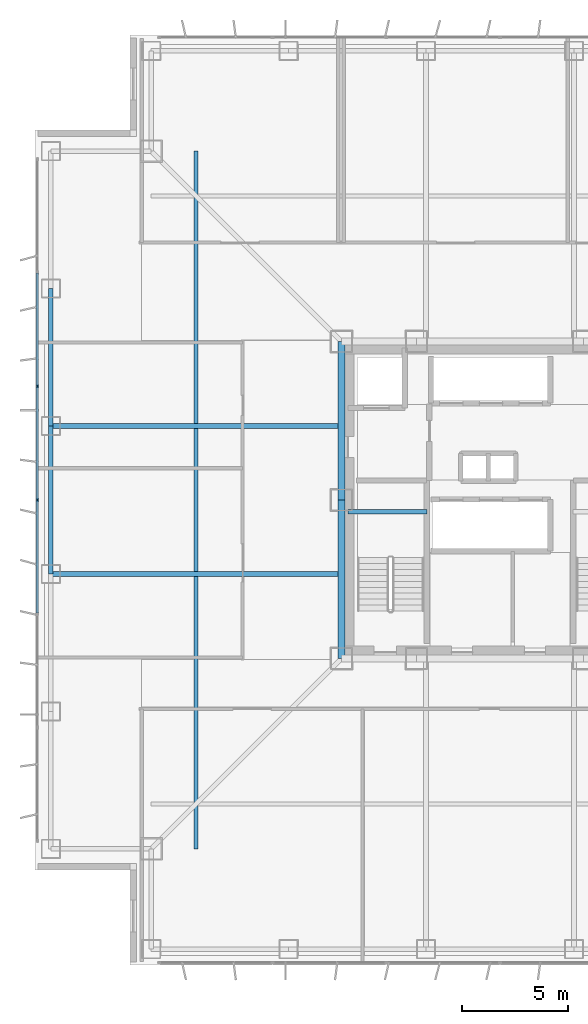
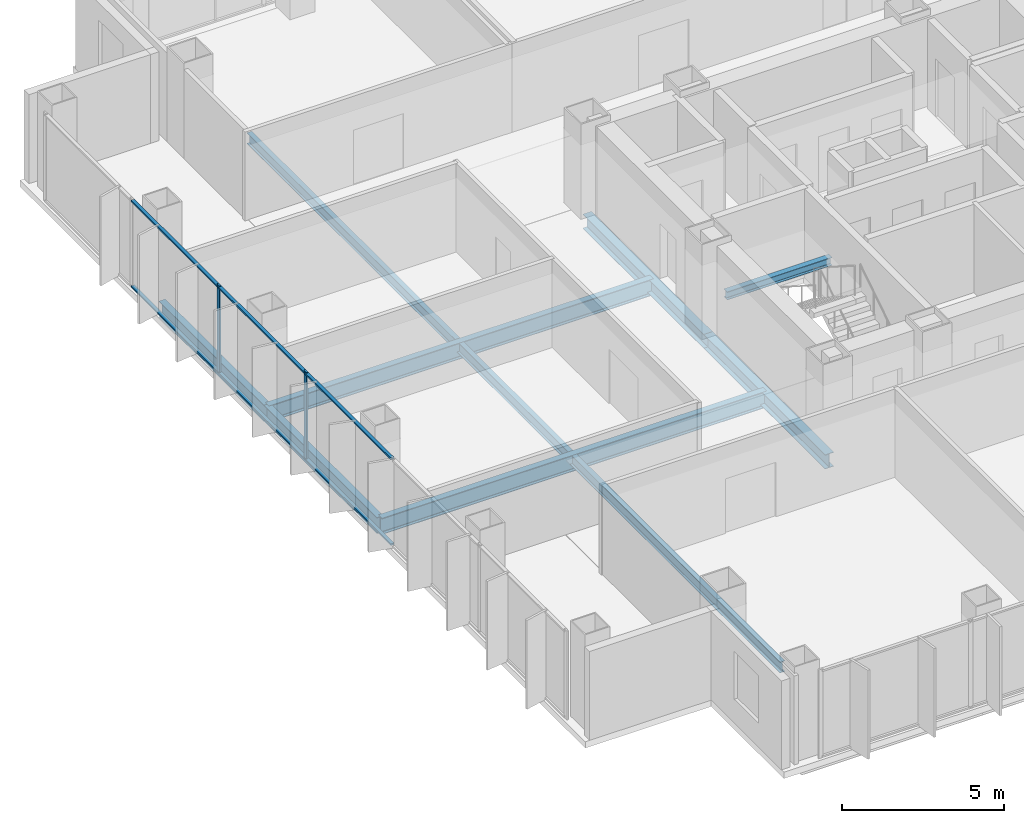
# One storey, part 5 of 17: 8 beams, 8 members, 1 element without a shape of its own.
"""IFC4 building model written with IfcOpenShell, lengths in metres."""

from ifc_helpers import new_model, si_unit, direction, frame, origin, origin_2d, place, context, subcontext, project, spatial, rectangle, i_section, extrude, material, layer, layer_set, material_profile, profile_set, type_object, element, aggregate, save


model = new_model("IFC4")

# Units and contexts
model_context = context("Model", 3, precision=1e-05, world=origin(), true_north=direction((0.0, 1.0)))
body_context = subcontext(model_context, "Body", "Model", "MODEL_VIEW")
ifc_project = project(units=[si_unit("LENGTHUNIT", "METRE"), si_unit("AREAUNIT", "SQUARE_METRE"), si_unit("VOLUMEUNIT", "CUBIC_METRE"), si_unit("PLANEANGLEUNIT", "RADIAN"), si_unit("MASSUNIT", "GRAM", prefix="KILO")], contexts=[model_context])

# Site, building, storey
site_placement = place(None, origin())
site = spatial("IfcSite", under=ifc_project, at=site_placement, CompositionType="ELEMENT")
building_placement = place(site_placement, origin())
building = spatial("IfcBuilding", under=site, at=building_placement, Name="Trevonay Congress Spire", CompositionType="ELEMENT")
storey_placement = place(building_placement, frame((0.0, 0.0, 126.39990234375)))
storey = spatial("IfcBuildingStorey", under=building, at=storey_placement, Name="L32", CompositionType="ELEMENT", Elevation=126.39990234375)

# Beams
ifc_material_1 = material(Name="Steel ASTM A572 Grade 50", Category="steel")
ifc_material_profile_1 = material_profile(ifc_material_1, i_section(OverallWidth=0.31201171875, OverallDepth=0.54296875, WebThickness=0.0126953125, FlangeThickness=0.020263671875, FilletRadius=0.014892578125, at=origin_2d()), Name="W530x150")
ifc_profile_set_1 = profile_set([ifc_material_profile_1], Name="Steel ASTM A572 Grade 50")
beam_type_1 = type_object("IfcBeamType", Name="BM-GIRD-W530X150", PredefinedType="BEAM", material=ifc_profile_set_1)
for number, where, z_axis, x_axis, name in (
    (1, (-7.5, -7.5, -0.511474609375), (0.0, 1.0, 0.0), (-1.0, 0.0, 0.0), "L32 structural beam BM-L32-CR-W1"),
    (2, (-7.5, 0.0, -0.511474609375), (0.0, 1.0, 0.0), (-1.0, 0.0, 0.0), "L32 structural beam BM-L32-CR-W2"),
):
    element("IfcBeam", number, at=place(storey_placement, frame(where, z_axis=z_axis, x_axis=x_axis)), inside=storey, type_object=beam_type_1, Name=name, PredefinedType="BEAM", context=body_context, shape_type="SweptSolid", body=[
        extrude(i_section(OverallWidth=0.31201171875, OverallDepth=0.54296875, WebThickness=0.0126953125, FlangeThickness=0.020263671875, FilletRadius=0.014892578125, at=origin_2d()), origin(), (0.0, 0.0, 1.0), 7.5),
    ])
ifc_material_profile_2 = material_profile(ifc_material_1, i_section(OverallWidth=0.22998046875, OverallDepth=0.616943359375, WebThickness=0.01318359375, FlangeThickness=0.022216796875, FilletRadius=0.01611328125, at=origin_2d()), Name="W610x140")
ifc_profile_set_2 = profile_set([ifc_material_profile_2], Name="Steel ASTM A572 Grade 50")
beam_type_2 = type_object("IfcBeamType", Name="BM-GIRD-W610X140", PredefinedType="BEAM", material=ifc_profile_set_2)
for number, where, z_axis, x_axis, name in (
    (3, (-7.5, -3.5, -0.54833984375), (-1.0, 0.0, 0.0), (0.0, -1.0, 0.0), "L32 structural beam BM-L32-GW-M"),
    (4, (-7.5, 3.5, -0.54833984375), (-1.0, 0.0, 0.0), (0.0, -1.0, 0.0), "L32 structural beam BM-L32-GW-P"),
):
    element("IfcBeam", number, at=place(storey_placement, frame(where, z_axis=z_axis, x_axis=x_axis)), inside=storey, type_object=beam_type_2, Name=name, PredefinedType="BEAM", context=body_context, shape_type="SweptSolid", body=[
        extrude(i_section(OverallWidth=0.22998046875, OverallDepth=0.616943359375, WebThickness=0.01318359375, FlangeThickness=0.022216796875, FilletRadius=0.01611328125, at=origin_2d()), origin(), (0.0, 0.0, 1.0), 13.75),
    ])
ifc_material_profile_3 = material_profile(ifc_material_1, i_section(OverallWidth=0.22802734375, OverallDepth=0.60791015625, WebThickness=0.01123046875, FlangeThickness=0.017333984375, FilletRadius=0.01611328125, at=origin_2d()), Name="W610x113")
ifc_profile_set_3 = profile_set([ifc_material_profile_3], Name="Steel ASTM A572 Grade 50")
beam_type_3 = type_object("IfcBeamType", Name="BM-RING-W610X113", PredefinedType="BEAM", material=ifc_profile_set_3)
beam_1_placement = place(storey_placement, frame((-21.25, -3.5, -0.5439453125), z_axis=(0.0, 1.0, 0.0), x_axis=(-1.0, 0.0, 0.0)))
element("IfcBeam", 5, at=beam_1_placement, inside=storey, type_object=beam_type_3, Name="L32 structural beam BM-L32-PW3", PredefinedType="BEAM", context=body_context, shape_type="SweptSolid", body=[
    extrude(i_section(OverallWidth=0.22802734375, OverallDepth=0.60791015625, WebThickness=0.01123046875, FlangeThickness=0.017333984375, FilletRadius=0.01611328125, at=origin_2d()), origin(), (0.0, 0.0, 1.0), 7.0),
])
beam_2_placement = place(storey_placement, frame((-21.25, 3.5, -0.5439453125), z_axis=(0.0, 1.0, 0.0), x_axis=(-1.0, 0.0, 0.0)))
element("IfcBeam", 6, at=beam_2_placement, inside=storey, type_object=beam_type_3, Name="L32 structural beam BM-L32-PW4", PredefinedType="BEAM", context=body_context, shape_type="SweptSolid", body=[
    extrude(i_section(OverallWidth=0.22802734375, OverallDepth=0.60791015625, WebThickness=0.01123046875, FlangeThickness=0.017333984375, FilletRadius=0.01611328125, at=origin_2d()), origin(), (0.0, 0.0, 1.0), 6.5),
])

# Curtain wall, members
ifc_material_2 = material(Name="Pale Anodised Aluminium EN AW-6063-T6", Category="aluminium")
ifc_layer = layer(ifc_material_2, 0.175048828125, Name="Pale Anodised Aluminium EN AW-6063-T6")
ifc_layer_set = layer_set([ifc_layer], Name="Pale Anodised Aluminium EN AW-6063-T6")
curtain_wall_type = type_object("IfcCurtainWallType", Name="CW-SYS03-CONGRESS-PALE-METAL", PredefinedType="NOTDEFINED", material=ifc_layer_set)
curtain_wall_placement = place(storey_placement, origin())
curtain_wall = element("IfcCurtainWall", 7, at=curtain_wall_placement, inside=storey, type_object=curtain_wall_type, Name="L32 W unitised curtain wall", PredefinedType="NOTDEFINED")
ifc_material_profile_4 = material_profile(ifc_material_2, rectangle(XDim=0.06005859375, YDim=0.159912109375, at=origin_2d()), Name="CW-MULLION-160-ALUMINIUM")
ifc_profile_set_4 = profile_set([ifc_material_profile_4], Name="Pale Anodised Aluminium EN AW-6063-T6")
member_type_1 = type_object("IfcMemberType", Name="CW-MULLION-160-ALUMINIUM", PredefinedType="MULLION", material=ifc_profile_set_4)
member_1_placement = place(storey_placement, frame((-21.8798828125, 0.0, 0.0), z_axis=(0.0, 0.0, 1.0), x_axis=(-1.0, 0.0, 0.0)))
member_1 = element("IfcMember", 8, at=member_1_placement, type_object=member_type_1, Name="CW03 mullion 4", PredefinedType="MULLION", context=body_context, shape_type="SweptSolid", body=[
    extrude(rectangle(XDim=0.06005859375, YDim=0.159912109375, at=origin_2d()), origin(), (0.0, 0.0, 1.0), 3.360107421875),
])
member_2_placement = place(storey_placement, frame((-21.8798828125, 5.38330078125, 0.0), z_axis=(0.0, 0.0, 1.0), x_axis=(-1.0, 0.0, 0.0)))
member_2 = element("IfcMember", 9, at=member_2_placement, type_object=member_type_1, Name="CW03 mullion 5", PredefinedType="MULLION", context=body_context, shape_type="SweptSolid", body=[
    extrude(rectangle(XDim=0.06005859375, YDim=0.159912109375, at=origin_2d()), origin(), (0.0, 0.0, 1.0), 3.360107421875),
])
ifc_material_profile_5 = material_profile(ifc_material_2, rectangle(XDim=0.1201171875, YDim=0.06005859375, at=origin_2d()), Name="CW-TRANSOM-120-ALUMINIUM")
ifc_profile_set_5 = profile_set([ifc_material_profile_5], Name="Pale Anodised Aluminium EN AW-6063-T6")
member_type_2 = type_object("IfcMemberType", Name="CW-TRANSOM-120-ALUMINIUM", PredefinedType="USERDEFINED", material=ifc_profile_set_5)
member_3_placement = place(storey_placement, frame((-21.8798828125, -5.353271484375, 0.06005859375), z_axis=(0.0, 1.0, 0.0), x_axis=(-1.0, 0.0, 0.0)))
member_3 = element("IfcMember", 10, at=member_3_placement, type_object=member_type_2, Name="CW03 transom 3.1", ObjectType="TRANSOM", PredefinedType="USERDEFINED", context=body_context, shape_type="SweptSolid", body=[
    extrude(rectangle(XDim=0.1201171875, YDim=0.06005859375, at=origin_2d()), origin(), (0.0, 0.0, 1.0), 5.3232421875),
])
member_4_placement = place(storey_placement, frame((-21.8798828125, -5.353271484375, 3.300048828125), z_axis=(0.0, 1.0, 0.0), x_axis=(-1.0, 0.0, 0.0)))
member_4 = element("IfcMember", 11, at=member_4_placement, type_object=member_type_2, Name="CW03 transom 3.2", ObjectType="TRANSOM", PredefinedType="USERDEFINED", context=body_context, shape_type="SweptSolid", body=[
    extrude(rectangle(XDim=0.1201171875, YDim=0.06005859375, at=origin_2d()), origin(), (0.0, 0.0, 1.0), 5.3232421875),
])
member_5_placement = place(storey_placement, frame((-21.8798828125, 0.030029296875, 0.06005859375), z_axis=(0.0, 1.0, 0.0), x_axis=(-1.0, 0.0, 0.0)))
member_5 = element("IfcMember", 12, at=member_5_placement, type_object=member_type_2, Name="CW03 transom 4.1", ObjectType="TRANSOM", PredefinedType="USERDEFINED", context=body_context, shape_type="SweptSolid", body=[
    extrude(rectangle(XDim=0.1201171875, YDim=0.06005859375, at=origin_2d()), origin(), (0.0, 0.0, 1.0), 5.3232421875),
])
member_6_placement = place(storey_placement, frame((-21.8798828125, 0.030029296875, 3.300048828125), z_axis=(0.0, 1.0, 0.0), x_axis=(-1.0, 0.0, 0.0)))
member_6 = element("IfcMember", 13, at=member_6_placement, type_object=member_type_2, Name="CW03 transom 4.2", ObjectType="TRANSOM", PredefinedType="USERDEFINED", context=body_context, shape_type="SweptSolid", body=[
    extrude(rectangle(XDim=0.1201171875, YDim=0.06005859375, at=origin_2d()), origin(), (0.0, 0.0, 1.0), 5.3232421875),
])
member_7_placement = place(storey_placement, frame((-21.8798828125, 5.413330078125, 0.06005859375), z_axis=(0.0, 1.0, 0.0), x_axis=(-1.0, 0.0, 0.0)))
member_7 = element("IfcMember", 14, at=member_7_placement, type_object=member_type_2, Name="CW03 transom 5.1", ObjectType="TRANSOM", PredefinedType="USERDEFINED", context=body_context, shape_type="SweptSolid", body=[
    extrude(rectangle(XDim=0.1201171875, YDim=0.06005859375, at=origin_2d()), origin(), (0.0, 0.0, 1.0), 5.3232421875),
])
member_8_placement = place(storey_placement, frame((-21.8798828125, 5.413330078125, 3.300048828125), z_axis=(0.0, 1.0, 0.0), x_axis=(-1.0, 0.0, 0.0)))
member_8 = element("IfcMember", 15, at=member_8_placement, type_object=member_type_2, Name="CW03 transom 5.2", ObjectType="TRANSOM", PredefinedType="USERDEFINED", context=body_context, shape_type="SweptSolid", body=[
    extrude(rectangle(XDim=0.1201171875, YDim=0.06005859375, at=origin_2d()), origin(), (0.0, 0.0, 1.0), 5.3232421875),
])
aggregate(curtain_wall, [member_1, member_2, member_3, member_4, member_5, member_6, member_7, member_8])

# Beams
ifc_material_profile_6 = material_profile(ifc_material_1, i_section(OverallWidth=0.177978515625, OverallDepth=0.406982421875, WebThickness=0.0078125, FlangeThickness=0.0126953125, FilletRadius=0.012939453125, at=origin_2d()), Name="W410x60")
ifc_profile_set_6 = profile_set([ifc_material_profile_6], Name="Steel ASTM A572 Grade 50")
beam_type_4 = type_object("IfcBeamType", Name="JS-COMP-W410X60", PredefinedType="JOIST", material=ifc_profile_set_6)
beam_3_placement = place(storey_placement, frame((-14.375, -16.5, -0.443359375), z_axis=(0.0, 1.0, 0.0), x_axis=(-1.0, 0.0, 0.0)))
element("IfcBeam", 16, at=beam_3_placement, inside=storey, type_object=beam_type_4, Name="L32 structural beam JS-L32-RING-W", PredefinedType="JOIST", context=body_context, shape_type="SweptSolid", body=[
    extrude(i_section(OverallWidth=0.177978515625, OverallDepth=0.406982421875, WebThickness=0.0078125, FlangeThickness=0.0126953125, FilletRadius=0.012939453125, at=origin_2d()), origin(), (0.0, 0.0, 1.0), 33.0),
])
ifc_material_profile_7 = material_profile(ifc_material_1, i_section(OverallWidth=0.2041015625, OverallDepth=0.305908203125, WebThickness=0.008544921875, FlangeThickness=0.0146484375, FilletRadius=0.010986328125, at=origin_2d()), Name="W310x67")
ifc_profile_set_7 = profile_set([ifc_material_profile_7], Name="Steel ASTM A572 Grade 50")
beam_type_5 = type_object("IfcBeamType", Name="LN-CORE-W310X67", PredefinedType="LINTEL", material=ifc_profile_set_7)
beam_4_placement = place(storey_placement, frame((-7.199951171875, -0.550048828125, 1.447021484375), z_axis=(1.0, 0.0, 0.0), x_axis=(0.0, 1.0, 0.0)))
element("IfcBeam", 17, at=beam_4_placement, inside=storey, type_object=beam_type_5, Name="L32 structural beam BM-L32-HL-ST1", PredefinedType="LINTEL", context=body_context, shape_type="SweptSolid", body=[
    extrude(i_section(OverallWidth=0.2041015625, OverallDepth=0.305908203125, WebThickness=0.008544921875, FlangeThickness=0.0146484375, FilletRadius=0.010986328125, at=origin_2d()), origin(), (0.0, 0.0, 1.0), 3.75),
])

save(model, "model.ifc")
